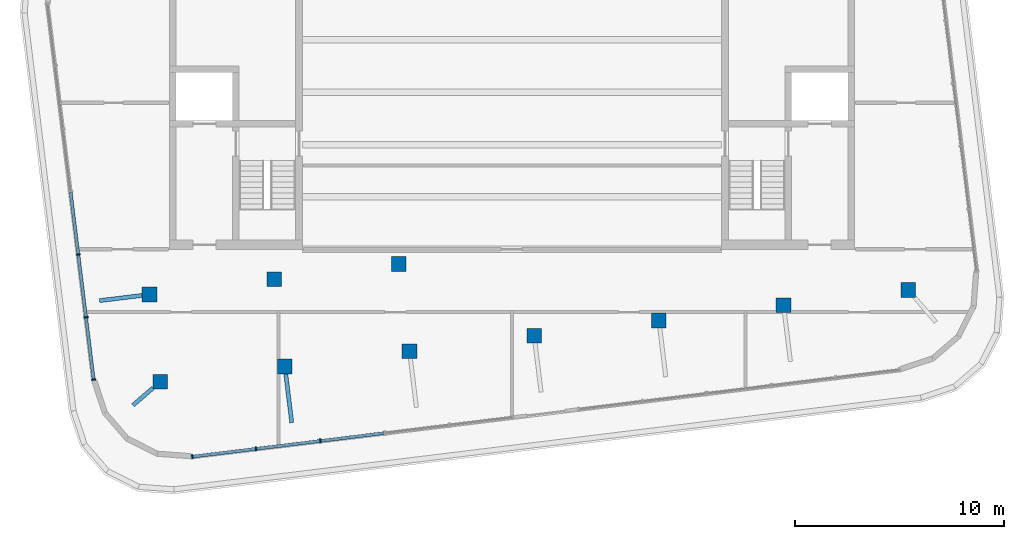
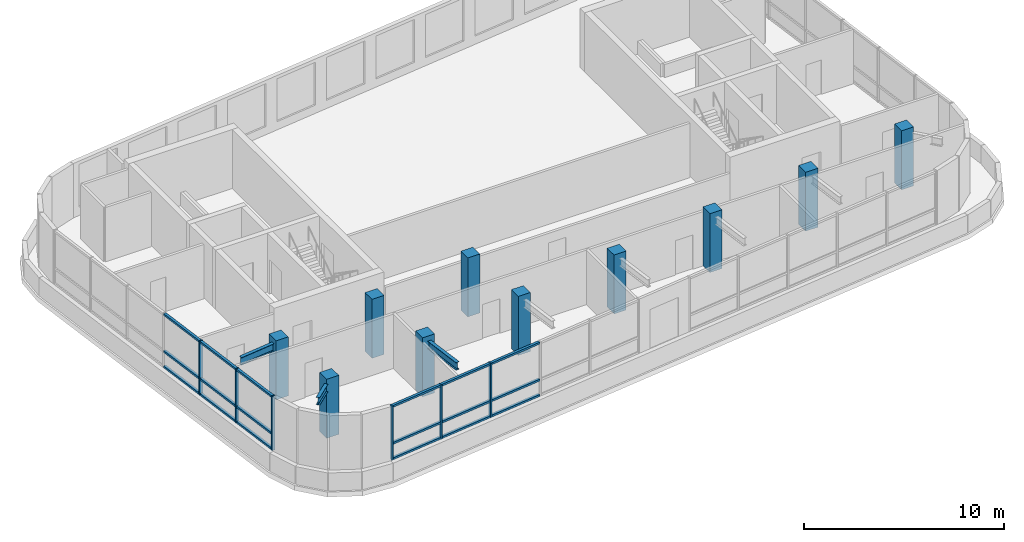
# One storey, part 1 of 8: 24 members, 10 columns, 3 beams, 2 elements without a shape of their own.
"""IFC4 building model written with IfcOpenShell, lengths in metres."""

from ifc_helpers import new_model, si_unit, direction, frame, origin, origin_2d, place, context, subcontext, project, spatial, rectangle, i_section, extrude, material, layer, layer_set, material_profile, profile_set, type_object, element, aggregate, save


model = new_model("IFC4")

# Units and contexts
model_context = context("Model", 3, precision=1e-05, world=origin(), true_north=direction((0.0, 1.0)))
body_context = subcontext(model_context, "Body", "Model", "MODEL_VIEW")
ifc_project = project(units=[si_unit("LENGTHUNIT", "METRE"), si_unit("AREAUNIT", "SQUARE_METRE"), si_unit("VOLUMEUNIT", "CUBIC_METRE"), si_unit("PLANEANGLEUNIT", "RADIAN"), si_unit("MASSUNIT", "GRAM", prefix="KILO")], contexts=[model_context])

# Site, building, storey
site_placement = place(None, origin())
site = spatial("IfcSite", under=ifc_project, at=site_placement, CompositionType="ELEMENT")
building_placement = place(site_placement, origin())
building = spatial("IfcBuilding", under=site, at=building_placement, Name="Torana Hotel and Residences", CompositionType="ELEMENT")
storey_placement = place(building_placement, frame((0.0, 0.0, 346.60009765625)))
storey = spatial("IfcBuildingStorey", under=building, at=storey_placement, Name="C1", CompositionType="ELEMENT", Elevation=346.60009765625)

# Columns
ifc_material_1 = material(Name="Concrete C40/50", Category="concrete")
ifc_material_profile_1 = material_profile(ifc_material_1, rectangle(XDim=0.699951171875, YDim=0.699951171875, at=origin_2d()), Name="RC 700x700")
ifc_profile_set_1 = profile_set([ifc_material_profile_1], Name="Concrete C40/50")
column_type = type_object("IfcColumnType", Name="COLUMN RC 700x700 C40/50", PredefinedType="COLUMN", material=ifc_profile_set_1)
for number, where, z_axis, x_axis, name in (
    (1, (-17.31689453125, -17.159912109375, 0.0), (0.0, 0.0, 1.0), (1.0, 0.0, 0.0), "Column C1"),
    (2, (-16.805908203125, -21.3291015625, 0.0), (0.0, 0.0, 1.0), (1.0, 0.0, 0.0), "Column C1"),
    (3, (-11.362060546875, -16.428955078125, 0.0), (0.0, 0.0, 1.0), (1.0, 0.0, 0.0), "Column C1"),
    (4, (-10.85009765625, -20.597900390625, 0.0), (0.0, 0.0, 1.0), (1.0, 0.0, 0.0), "Column C1"),
    (5, (-5.406982421875, -15.697998046875, 0.0), (0.0, 0.0, 1.0), (1.0, 0.0, 0.0), "Column C1"),
    (6, (-4.89501953125, -19.865966796875, 0.0), (0.0, 0.0, 1.0), (1.0, 0.0, 0.0), "Column C1"),
    (7, (1.06005859375, -19.135009765625, 0.0), (0.0, 0.0, 1.0), (1.0, 0.0, 0.0), "Column C1"),
    (8, (7.01611328125, -18.404052734375, 0.0), (0.0, 0.0, 1.0), (1.0, 0.0, 0.0), "Column C1"),
    (9, (12.970947265625, -17.673095703125, 0.0), (0.0, 0.0, 1.0), (1.0, 0.0, 0.0), "Column C1"),
    (10, (18.926025390625, -16.94189453125, 0.0), (0.0, 0.0, 1.0), (1.0, 0.0, 0.0), "Column C1"),
):
    element("IfcColumn", number, at=place(storey_placement, frame(where, z_axis=z_axis, x_axis=x_axis)), inside=storey, type_object=column_type, Name=name, PredefinedType="COLUMN", context=body_context, shape_type="SweptSolid", body=[
        extrude(rectangle(XDim=0.699951171875, YDim=0.699951171875, at=origin_2d()), origin(), (0.0, 0.0, 1.0), 3.599853515625),
    ])

# Beams
ifc_material_2 = material(Name="Steel S355", Category="steel")
ifc_material_profile_2 = material_profile(ifc_material_2, i_section(OverallWidth=0.19287109375, OverallDepth=0.46728515625, WebThickness=0.011474609375, FlangeThickness=0.01953125, FilletRadius=0.01025390625, at=origin_2d()), Name="457x191x98 UB")
ifc_profile_set_2 = profile_set([ifc_material_profile_2], Name="Steel S355")
beam_type = type_object("IfcBeamType", Name="BALCONY CANTILEVER BEAM 457x191x98 UB", PredefinedType="BEAM", material=ifc_profile_set_2)
beam_1_placement = place(storey_placement, frame((-17.1484375, -21.6240234375, 3.06640625), z_axis=(-0.757521967302, -0.652809672918, 0.0), x_axis=(0.652809672918, -0.757521967302, 0.0)))
element("IfcBeam", 11, at=beam_1_placement, inside=storey, type_object=beam_type, Name="Balcony cantilever beam", PredefinedType="BEAM", context=body_context, shape_type="SweptSolid", body=[
    extrude(i_section(OverallWidth=0.19287109375, OverallDepth=0.46728515625, WebThickness=0.011474609375, FlangeThickness=0.01953125, FilletRadius=0.01025390625, at=origin_2d()), origin(), (0.0, 0.0, 1.0), 1.263671875),
])
beam_2_placement = place(storey_placement, frame((-17.656982421875, -17.201904296875, 3.06640625), z_axis=(-0.992563587212, -0.121727258006, 0.0), x_axis=(0.121727258006, -0.992563587212, 0.0)))
element("IfcBeam", 12, at=beam_2_placement, inside=storey, type_object=beam_type, Name="Balcony cantilever beam", PredefinedType="BEAM", context=body_context, shape_type="SweptSolid", body=[
    extrude(i_section(OverallWidth=0.19287109375, OverallDepth=0.46728515625, WebThickness=0.011474609375, FlangeThickness=0.01953125, FilletRadius=0.01025390625, at=origin_2d()), origin(), (0.0, 0.0, 1.0), 2.057861328125),
])
beam_3_placement = place(storey_placement, frame((-10.80810546875, -20.93798828125, 3.06640625), z_axis=(0.121844822117, -0.992549162169, 0.0), x_axis=(0.992549162169, 0.121844822117, 0.0)))
element("IfcBeam", 13, at=beam_3_placement, inside=storey, type_object=beam_type, Name="Balcony cantilever beam", PredefinedType="BEAM", context=body_context, shape_type="SweptSolid", body=[
    extrude(i_section(OverallWidth=0.19287109375, OverallDepth=0.46728515625, WebThickness=0.011474609375, FlangeThickness=0.01953125, FilletRadius=0.01025390625, at=origin_2d()), origin(), (0.0, 0.0, 1.0), 2.3603515625),
])

# Curtain wall, members
ifc_material_3 = material(Name="Dark anodised aluminium", Category="aluminium")
ifc_layer = layer(ifc_material_3, 0.199951171875)
ifc_layer_set = layer_set([ifc_layer], Name="CW4 CROWN TERRACE GLAZING CURTAIN WALL")
curtain_wall_type = type_object("IfcCurtainWallType", Name="CW4 CROWN TERRACE GLAZING CURTAIN WALL", PredefinedType="NOTDEFINED", material=ifc_layer_set)
curtain_wall_1_placement = place(storey_placement, origin())
curtain_wall_1 = element("IfcCurtainWall", 14, at=curtain_wall_1_placement, inside=storey, type_object=curtain_wall_type, Name="Curtain wall CW4 C1 e0.9", PredefinedType="NOTDEFINED")
ifc_material_4 = material(Name="Dark anodised aluminium", Category="aluminium")
ifc_material_profile_3 = material_profile(ifc_material_4, rectangle(XDim=0.199951171875, YDim=0.070068359375, at=origin_2d()), Name="CW4 MULLION 70x200")
ifc_profile_set_3 = profile_set([ifc_material_profile_3], Name="Dark anodised aluminium")
member_type_1 = type_object("IfcMemberType", Name="CW4 MULLION 70x200", PredefinedType="MULLION", material=ifc_profile_set_3)
member_1_placement = place(storey_placement, frame((-20.718017578125, -15.247314453125, 0.0), z_axis=(0.0, 0.0, 1.0), x_axis=(0.992546352669, 0.121867706155, 0.0)))
member_1 = element("IfcMember", 15, at=member_1_placement, type_object=member_type_1, Name="CW4 mullion 5", PredefinedType="MULLION", context=body_context, shape_type="SweptSolid", body=[
    extrude(rectangle(XDim=0.199951171875, YDim=0.070068359375, at=origin_2d()), origin(), (0.0, 0.0, 1.0), 3.31982421875),
])
member_2_placement = place(storey_placement, frame((-20.348876953125, -18.25244140625, 0.0), z_axis=(0.0, 0.0, 1.0), x_axis=(0.992546352669, 0.121867706155, 0.0)))
member_2 = element("IfcMember", 16, at=member_2_placement, type_object=member_type_1, Name="CW4 mullion 6", PredefinedType="MULLION", context=body_context, shape_type="SweptSolid", body=[
    extrude(rectangle(XDim=0.199951171875, YDim=0.070068359375, at=origin_2d()), origin(), (0.0, 0.0, 1.0), 3.31982421875),
])
member_3_placement = place(storey_placement, frame((-19.984375, -21.22265625, 0.0), z_axis=(0.0, 0.0, 1.0), x_axis=(0.992546352669, 0.121867706155, 0.0)))
member_3 = element("IfcMember", 17, at=member_3_placement, type_object=member_type_1, Name="CW4 mullion 7", PredefinedType="MULLION", context=body_context, shape_type="SweptSolid", body=[
    extrude(rectangle(XDim=0.199951171875, YDim=0.070068359375, at=origin_2d()), origin(), (0.0, 0.0, 1.0), 3.31982421875),
])

curtain_wall_2_placement = place(storey_placement, origin())
curtain_wall_2 = element("IfcCurtainWall", 18, at=curtain_wall_2_placement, inside=storey, type_object=curtain_wall_type, Name="Curtain wall CW4 C1 e0.14-1", PredefinedType="NOTDEFINED")
member_4_placement = place(storey_placement, frame((-15.27197265625, -24.904541015625, 0.0), z_axis=(0.0, 0.0, 1.0), x_axis=(-0.121858188089, 0.992547521278, 0.0)))
member_4 = element("IfcMember", 19, at=member_4_placement, type_object=member_type_1, Name="CW4 mullion 1", PredefinedType="MULLION", context=body_context, shape_type="SweptSolid", body=[
    extrude(rectangle(XDim=0.199951171875, YDim=0.070068359375, at=origin_2d()), origin(), (0.0, 0.0, 1.0), 3.31982421875),
])
member_5_placement = place(storey_placement, frame((-12.2294921875, -24.531005859375, 0.0), z_axis=(0.0, 0.0, 1.0), x_axis=(-0.121858188089, 0.992547521278, 0.0)))
member_5 = element("IfcMember", 20, at=member_5_placement, type_object=member_type_1, Name="CW4 mullion 2", PredefinedType="MULLION", context=body_context, shape_type="SweptSolid", body=[
    extrude(rectangle(XDim=0.199951171875, YDim=0.070068359375, at=origin_2d()), origin(), (0.0, 0.0, 1.0), 3.31982421875),
])
member_6_placement = place(storey_placement, frame((-9.15234375, -24.153076171875, 0.0), z_axis=(0.0, 0.0, 1.0), x_axis=(-0.121858188089, 0.992547521278, 0.0)))
member_6 = element("IfcMember", 21, at=member_6_placement, type_object=member_type_1, Name="CW4 mullion 3", PredefinedType="MULLION", context=body_context, shape_type="SweptSolid", body=[
    extrude(rectangle(XDim=0.199951171875, YDim=0.070068359375, at=origin_2d()), origin(), (0.0, 0.0, 1.0), 3.31982421875),
])

# Member
ifc_material_5 = material(Name="Dark anodised aluminium", Category="aluminium")
ifc_material_profile_4 = material_profile(ifc_material_5, rectangle(XDim=0.14990234375, YDim=0.1201171875, at=origin_2d()), Name="CW4 TRANSOM 150x120")
ifc_profile_set_4 = profile_set([ifc_material_profile_4], Name="Dark anodised aluminium")
member_type_2 = type_object("IfcMemberType", Name="CW4 TRANSOM 150x120", PredefinedType="USERDEFINED", material=ifc_profile_set_4)
member_7_placement = place(storey_placement, frame((-21.08251953125, -12.277099609375, 0.059814453125), z_axis=(0.121839940769, -0.992549761389, 0.0), x_axis=(0.992549761389, 0.121839940769, 0.0)))
member_7 = element("IfcMember", 22, at=member_7_placement, type_object=member_type_2, Name="CW4 transom 4.1", ObjectType="TRANSOM", PredefinedType="USERDEFINED", context=body_context, shape_type="SweptSolid", body=[
    extrude(rectangle(XDim=0.14990234375, YDim=0.1201171875, at=origin_2d()), origin(), (0.0, 0.0, 1.0), 2.95751953125),
])

member_8_placement = place(storey_placement, frame((-21.08251953125, -12.277099609375, 1.0), z_axis=(0.121839940769, -0.992549761389, 0.0), x_axis=(0.992549761389, 0.121839940769, 0.0)))
member_8 = element("IfcMember", 23, at=member_8_placement, type_object=member_type_2, Name="CW4 transom 4.2", ObjectType="TRANSOM", PredefinedType="USERDEFINED", context=body_context, shape_type="SweptSolid", body=[
    extrude(rectangle(XDim=0.14990234375, YDim=0.1201171875, at=origin_2d()), origin(), (0.0, 0.0, 1.0), 2.95751953125),
])

member_9_placement = place(storey_placement, frame((-21.08251953125, -12.277099609375, 3.260009765625), z_axis=(0.121839940769, -0.992549761389, 0.0), x_axis=(0.992549761389, 0.121839940769, 0.0)))
member_9 = element("IfcMember", 24, at=member_9_placement, type_object=member_type_2, Name="CW4 transom 4.3", ObjectType="TRANSOM", PredefinedType="USERDEFINED", context=body_context, shape_type="SweptSolid", body=[
    extrude(rectangle(XDim=0.14990234375, YDim=0.1201171875, at=origin_2d()), origin(), (0.0, 0.0, 1.0), 2.95751953125),
])

member_10_placement = place(storey_placement, frame((-20.713623046875, -15.2822265625, 0.059814453125), z_axis=(0.121839940769, -0.992549761389, 0.0), x_axis=(0.992549761389, 0.121839940769, 0.0)))
member_10 = element("IfcMember", 25, at=member_10_placement, type_object=member_type_2, Name="CW4 transom 5.1", ObjectType="TRANSOM", PredefinedType="USERDEFINED", context=body_context, shape_type="SweptSolid", body=[
    extrude(rectangle(XDim=0.14990234375, YDim=0.1201171875, at=origin_2d()), origin(), (0.0, 0.0, 1.0), 2.95751953125),
])

member_11_placement = place(storey_placement, frame((-20.713623046875, -15.2822265625, 1.0), z_axis=(0.121839940769, -0.992549761389, 0.0), x_axis=(0.992549761389, 0.121839940769, 0.0)))
member_11 = element("IfcMember", 26, at=member_11_placement, type_object=member_type_2, Name="CW4 transom 5.2", ObjectType="TRANSOM", PredefinedType="USERDEFINED", context=body_context, shape_type="SweptSolid", body=[
    extrude(rectangle(XDim=0.14990234375, YDim=0.1201171875, at=origin_2d()), origin(), (0.0, 0.0, 1.0), 2.95751953125),
])

member_12_placement = place(storey_placement, frame((-20.713623046875, -15.2822265625, 3.260009765625), z_axis=(0.121839940769, -0.992549761389, 0.0), x_axis=(0.992549761389, 0.121839940769, 0.0)))
member_12 = element("IfcMember", 27, at=member_12_placement, type_object=member_type_2, Name="CW4 transom 5.3", ObjectType="TRANSOM", PredefinedType="USERDEFINED", context=body_context, shape_type="SweptSolid", body=[
    extrude(rectangle(XDim=0.14990234375, YDim=0.1201171875, at=origin_2d()), origin(), (0.0, 0.0, 1.0), 2.95751953125),
])

member_13_placement = place(storey_placement, frame((-20.3447265625, -18.287109375, 0.059814453125), z_axis=(0.121875420514, -0.992545405447, 0.0), x_axis=(0.992545405447, 0.121875420514, 0.0)))
member_13 = element("IfcMember", 28, at=member_13_placement, type_object=member_type_2, Name="CW4 transom 6.1", ObjectType="TRANSOM", PredefinedType="USERDEFINED", context=body_context, shape_type="SweptSolid", body=[
    extrude(rectangle(XDim=0.14990234375, YDim=0.1201171875, at=origin_2d()), origin(), (0.0, 0.0, 1.0), 2.922607421875),
])

member_14_placement = place(storey_placement, frame((-20.3447265625, -18.287109375, 1.0), z_axis=(0.121875420514, -0.992545405447, 0.0), x_axis=(0.992545405447, 0.121875420514, 0.0)))
member_14 = element("IfcMember", 29, at=member_14_placement, type_object=member_type_2, Name="CW4 transom 6.2", ObjectType="TRANSOM", PredefinedType="USERDEFINED", context=body_context, shape_type="SweptSolid", body=[
    extrude(rectangle(XDim=0.14990234375, YDim=0.1201171875, at=origin_2d()), origin(), (0.0, 0.0, 1.0), 2.922607421875),
])

member_15_placement = place(storey_placement, frame((-20.3447265625, -18.287109375, 3.260009765625), z_axis=(0.121875420514, -0.992545405447, 0.0), x_axis=(0.992545405447, 0.121875420514, 0.0)))
member_15 = element("IfcMember", 30, at=member_15_placement, type_object=member_type_2, Name="CW4 transom 6.3", ObjectType="TRANSOM", PredefinedType="USERDEFINED", context=body_context, shape_type="SweptSolid", body=[
    extrude(rectangle(XDim=0.14990234375, YDim=0.1201171875, at=origin_2d()), origin(), (0.0, 0.0, 1.0), 2.922607421875),
])

aggregate(curtain_wall_1, [member_1, member_2, member_3, member_7, member_8, member_9, member_10, member_11, member_12, member_13, member_14, member_15])

member_16_placement = place(storey_placement, frame((-15.2373046875, -24.900146484375, 0.059814453125), z_axis=(0.992548817034, 0.121847633558, 0.0), x_axis=(-0.121847633558, 0.992548817034, 0.0)))
member_16 = element("IfcMember", 31, at=member_16_placement, type_object=member_type_2, Name="CW4 transom 1.1", ObjectType="TRANSOM", PredefinedType="USERDEFINED", context=body_context, shape_type="SweptSolid", body=[
    extrude(rectangle(XDim=0.14990234375, YDim=0.1201171875, at=origin_2d()), origin(), (0.0, 0.0, 1.0), 2.995361328125),
])

member_17_placement = place(storey_placement, frame((-15.2373046875, -24.900146484375, 1.0), z_axis=(0.992548817034, 0.121847633558, 0.0), x_axis=(-0.121847633558, 0.992548817034, 0.0)))
member_17 = element("IfcMember", 32, at=member_17_placement, type_object=member_type_2, Name="CW4 transom 1.2", ObjectType="TRANSOM", PredefinedType="USERDEFINED", context=body_context, shape_type="SweptSolid", body=[
    extrude(rectangle(XDim=0.14990234375, YDim=0.1201171875, at=origin_2d()), origin(), (0.0, 0.0, 1.0), 2.995361328125),
])

member_18_placement = place(storey_placement, frame((-15.2373046875, -24.900146484375, 3.260009765625), z_axis=(0.992548817034, 0.121847633558, 0.0), x_axis=(-0.121847633558, 0.992548817034, 0.0)))
member_18 = element("IfcMember", 33, at=member_18_placement, type_object=member_type_2, Name="CW4 transom 1.3", ObjectType="TRANSOM", PredefinedType="USERDEFINED", context=body_context, shape_type="SweptSolid", body=[
    extrude(rectangle(XDim=0.14990234375, YDim=0.1201171875, at=origin_2d()), origin(), (0.0, 0.0, 1.0), 2.995361328125),
])

member_19_placement = place(storey_placement, frame((-12.19482421875, -24.526611328125, 0.059814453125), z_axis=(0.992553028088, 0.121813326174, 0.0), x_axis=(-0.121813326174, 0.992553028088, 0.0)))
member_19 = element("IfcMember", 34, at=member_19_placement, type_object=member_type_2, Name="CW4 transom 2.1", ObjectType="TRANSOM", PredefinedType="USERDEFINED", context=body_context, shape_type="SweptSolid", body=[
    extrude(rectangle(XDim=0.14990234375, YDim=0.1201171875, at=origin_2d()), origin(), (0.0, 0.0, 1.0), 3.0302734375),
])

member_20_placement = place(storey_placement, frame((-12.19482421875, -24.526611328125, 1.0), z_axis=(0.992553028088, 0.121813326174, 0.0), x_axis=(-0.121813326174, 0.992553028088, 0.0)))
member_20 = element("IfcMember", 35, at=member_20_placement, type_object=member_type_2, Name="CW4 transom 2.2", ObjectType="TRANSOM", PredefinedType="USERDEFINED", context=body_context, shape_type="SweptSolid", body=[
    extrude(rectangle(XDim=0.14990234375, YDim=0.1201171875, at=origin_2d()), origin(), (0.0, 0.0, 1.0), 3.0302734375),
])

member_21_placement = place(storey_placement, frame((-12.19482421875, -24.526611328125, 3.260009765625), z_axis=(0.992553028088, 0.121813326174, 0.0), x_axis=(-0.121813326174, 0.992553028088, 0.0)))
member_21 = element("IfcMember", 36, at=member_21_placement, type_object=member_type_2, Name="CW4 transom 2.3", ObjectType="TRANSOM", PredefinedType="USERDEFINED", context=body_context, shape_type="SweptSolid", body=[
    extrude(rectangle(XDim=0.14990234375, YDim=0.1201171875, at=origin_2d()), origin(), (0.0, 0.0, 1.0), 3.0302734375),
])

member_22_placement = place(storey_placement, frame((-9.117431640625, -24.14892578125, 0.059814453125), z_axis=(0.992542087136, 0.121902441581, 0.0), x_axis=(-0.121902441581, 0.992542087136, 0.0)))
member_22 = element("IfcMember", 37, at=member_22_placement, type_object=member_type_2, Name="CW4 transom 3.1", ObjectType="TRANSOM", PredefinedType="USERDEFINED", context=body_context, shape_type="SweptSolid", body=[
    extrude(rectangle(XDim=0.14990234375, YDim=0.1201171875, at=origin_2d()), origin(), (0.0, 0.0, 1.0), 3.0302734375),
])

member_23_placement = place(storey_placement, frame((-9.117431640625, -24.14892578125, 1.0), z_axis=(0.992542087136, 0.121902441581, 0.0), x_axis=(-0.121902441581, 0.992542087136, 0.0)))
member_23 = element("IfcMember", 38, at=member_23_placement, type_object=member_type_2, Name="CW4 transom 3.2", ObjectType="TRANSOM", PredefinedType="USERDEFINED", context=body_context, shape_type="SweptSolid", body=[
    extrude(rectangle(XDim=0.14990234375, YDim=0.1201171875, at=origin_2d()), origin(), (0.0, 0.0, 1.0), 3.0302734375),
])

member_24_placement = place(storey_placement, frame((-9.117431640625, -24.14892578125, 3.260009765625), z_axis=(0.992542087136, 0.121902441581, 0.0), x_axis=(-0.121902441581, 0.992542087136, 0.0)))
member_24 = element("IfcMember", 39, at=member_24_placement, type_object=member_type_2, Name="CW4 transom 3.3", ObjectType="TRANSOM", PredefinedType="USERDEFINED", context=body_context, shape_type="SweptSolid", body=[
    extrude(rectangle(XDim=0.14990234375, YDim=0.1201171875, at=origin_2d()), origin(), (0.0, 0.0, 1.0), 3.0302734375),
])

aggregate(curtain_wall_2, [member_4, member_5, member_6, member_16, member_17, member_18, member_19, member_20, member_21, member_22, member_23, member_24])

save(model, "model.ifc")
